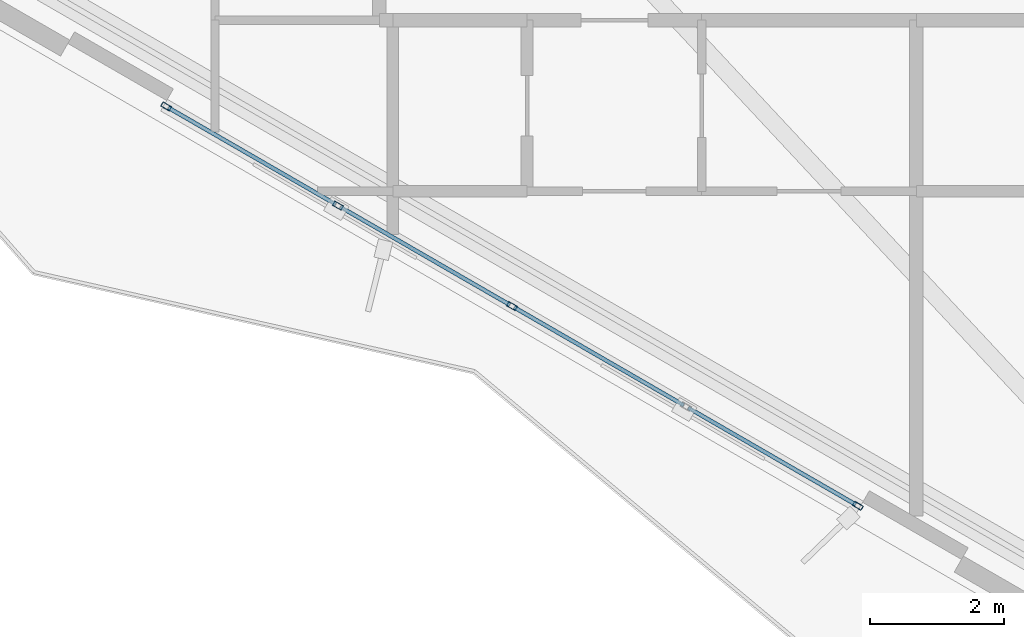
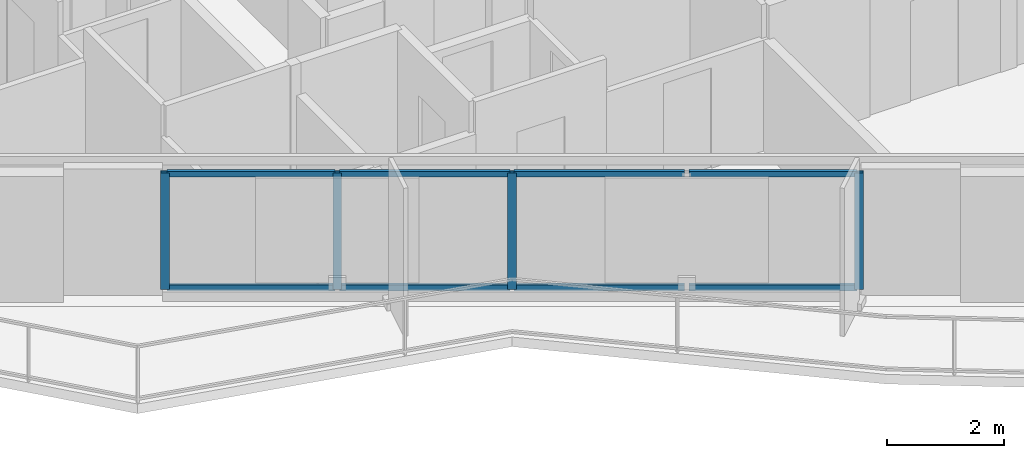
# One storey, part 2 of 18: 12 members, 1 element without a shape of its own.
"""IFC4 building model written with IfcOpenShell, lengths in metres."""

from ifc_helpers import new_model, si_unit, direction, frame, origin, origin_2d, place, context, subcontext, project, spatial, hollow_rectangle, extrude, material, layer, layer_set, material_profile, profile_set, type_object, element, aggregate, save


model = new_model("IFC4")

# Units and contexts
model_context = context("Model", 3, precision=1e-05, world=origin(), true_north=direction((0.0, 1.0)))
body_context = subcontext(model_context, "Body", "Model", "MODEL_VIEW")
ifc_project = project(units=[si_unit("LENGTHUNIT", "METRE"), si_unit("AREAUNIT", "SQUARE_METRE"), si_unit("VOLUMEUNIT", "CUBIC_METRE"), si_unit("PLANEANGLEUNIT", "RADIAN"), si_unit("MASSUNIT", "GRAM", prefix="KILO")], contexts=[model_context])

# Site, building, storey
site_placement = place(None, origin())
site = spatial("IfcSite", under=ifc_project, at=site_placement, CompositionType="ELEMENT")
building_placement = place(site_placement, origin())
building = spatial("IfcBuilding", under=site, at=building_placement, Name="Mersakhor Tower and Convention Hall", CompositionType="ELEMENT")
storey_placement = place(building_placement, frame((0.0, 0.0, 58.800048828125)))
storey = spatial("IfcBuildingStorey", under=building, at=storey_placement, Name="L16", CompositionType="ELEMENT", Elevation=58.800048828125)

# Curtain wall, members
ifc_material_1 = material(Name="Dark solar low-E aluminium curtain wall", Category="aluminium")
ifc_layer = layer(ifc_material_1, 0.159912109375)
ifc_layer_set = layer_set([ifc_layer], Name="Dark solar low-E aluminium curtain wall")
curtain_wall_type = type_object("IfcCurtainWallType", Name="CW-SYS-01", PredefinedType="USERDEFINED", material=ifc_layer_set)
curtain_wall_placement = place(storey_placement, origin())
curtain_wall = element("IfcCurtainWall", 1, at=curtain_wall_placement, inside=storey, type_object=curtain_wall_type, Name="L16 Dark-Glass Curtain Wall F3-B2", ObjectType="CURTAIN WALL", PredefinedType="USERDEFINED")
ifc_material_2 = material(Name="Anodised aluminium EN AW-6063 T6", Category="aluminium")
ifc_material_profile_1 = material_profile(ifc_material_2, hollow_rectangle(XDim=0.074951171875, YDim=0.14990234375, WallThickness=0.00634765625, at=origin_2d()), Name="RHS 150x75x6.3")
ifc_profile_set_1 = profile_set([ifc_material_profile_1], Name="Anodised aluminium EN AW-6063 T6")
member_type_1 = type_object("IfcMemberType", Name="CWM-150x75", PredefinedType="MULLION", material=ifc_profile_set_1)
member_1_placement = place(storey_placement, frame((26.72705078125, 10.9150390625, 0.199951171875), z_axis=(0.0, 0.0, 1.0), x_axis=(-0.50000344889, -0.866023412558, 0.0)))
member_1 = element("IfcMember", 2, at=member_1_placement, type_object=member_type_1, Name="CW-01 mullion 1", PredefinedType="MULLION", context=body_context, shape_type="SweptSolid", body=[
    extrude(hollow_rectangle(XDim=0.074951171875, YDim=0.14990234375, WallThickness=0.00634765625, at=origin_2d()), origin(), (0.0, 0.0, 1.0), 2.43994140625),
])
member_2_placement = place(storey_placement, frame((21.574951171875, 13.889404296875, 0.199951171875), z_axis=(0.0, 0.0, 1.0), x_axis=(-0.50000344889, -0.866023412558, 0.0)))
member_2 = element("IfcMember", 3, at=member_2_placement, type_object=member_type_1, Name="CW-01 mullion 3", PredefinedType="MULLION", context=body_context, shape_type="SweptSolid", body=[
    extrude(hollow_rectangle(XDim=0.074951171875, YDim=0.14990234375, WallThickness=0.00634765625, at=origin_2d()), origin(), (0.0, 0.0, 1.0), 2.43994140625),
])
member_3_placement = place(storey_placement, frame((18.982666015625, 15.38623046875, 0.199951171875), z_axis=(0.0, 0.0, 1.0), x_axis=(-0.50000344889, -0.866023412558, 0.0)))
member_3 = element("IfcMember", 4, at=member_3_placement, type_object=member_type_1, Name="CW-01 mullion 4", PredefinedType="MULLION", context=body_context, shape_type="SweptSolid", body=[
    extrude(hollow_rectangle(XDim=0.074951171875, YDim=0.14990234375, WallThickness=0.00634765625, at=origin_2d()), origin(), (0.0, 0.0, 1.0), 2.43994140625),
])
member_4_placement = place(storey_placement, frame((16.423095703125, 16.864013671875, 0.199951171875), z_axis=(0.0, 0.0, 1.0), x_axis=(-0.50000344889, -0.866023412558, 0.0)))
member_4 = element("IfcMember", 5, at=member_4_placement, type_object=member_type_1, Name="CW-01 mullion 5", PredefinedType="MULLION", context=body_context, shape_type="SweptSolid", body=[
    extrude(hollow_rectangle(XDim=0.074951171875, YDim=0.14990234375, WallThickness=0.00634765625, at=origin_2d()), origin(), (0.0, 0.0, 1.0), 2.43994140625),
])
ifc_material_3 = material(Name="Anodised aluminium EN AW-6063 T6", Category="aluminium")
ifc_material_profile_2 = material_profile(ifc_material_3, hollow_rectangle(XDim=0.06005859375, YDim=0.1201171875, WallThickness=0.0048828125, at=origin_2d()), Name="RHS 120x60x5")
ifc_profile_set_2 = profile_set([ifc_material_profile_2], Name="Anodised aluminium EN AW-6063 T6")
member_type_2 = type_object("IfcMemberType", Name="CWT-120x60", PredefinedType="USERDEFINED", material=ifc_profile_set_2)
member_5_placement = place(storey_placement, frame((26.694580078125, 10.93359375, 0.22998046875), z_axis=(-0.866023290103, 0.500003660985, 0.0), x_axis=(-0.500003660985, -0.866023290103, 0.0)))
member_5 = element("IfcMember", 6, at=member_5_placement, type_object=member_type_2, Name="CW-01 transom 1.1", ObjectType="TRANSOM", PredefinedType="USERDEFINED", context=body_context, shape_type="SweptSolid", body=[
    extrude(hollow_rectangle(XDim=0.06005859375, YDim=0.1201171875, WallThickness=0.0048828125, at=origin_2d()), origin(), (0.0, 0.0, 1.0), 2.880859375),
])
member_6_placement = place(storey_placement, frame((26.694580078125, 10.93359375, 2.60986328125), z_axis=(-0.866023290103, 0.500003660985, 0.0), x_axis=(-0.500003660985, -0.866023290103, 0.0)))
member_6 = element("IfcMember", 7, at=member_6_placement, type_object=member_type_2, Name="CW-01 transom 1.2", ObjectType="TRANSOM", PredefinedType="USERDEFINED", context=body_context, shape_type="SweptSolid", body=[
    extrude(hollow_rectangle(XDim=0.06005859375, YDim=0.1201171875, WallThickness=0.0048828125, at=origin_2d()), origin(), (0.0, 0.0, 1.0), 2.880859375),
])
member_7_placement = place(storey_placement, frame((24.134765625, 12.41162109375, 0.22998046875), z_axis=(-0.866015622527, 0.500016941252, 0.0), x_axis=(-0.500016941252, -0.866015622527, 0.0)))
member_7 = element("IfcMember", 8, at=member_7_placement, type_object=member_type_2, Name="CW-01 transom 2.1", ObjectType="TRANSOM", PredefinedType="USERDEFINED", context=body_context, shape_type="SweptSolid", body=[
    extrude(hollow_rectangle(XDim=0.06005859375, YDim=0.1201171875, WallThickness=0.0048828125, at=origin_2d()), origin(), (0.0, 0.0, 1.0), 2.91845703125),
])
member_8_placement = place(storey_placement, frame((24.134765625, 12.41162109375, 2.60986328125), z_axis=(-0.866015622527, 0.500016941252, 0.0), x_axis=(-0.500016941252, -0.866015622527, 0.0)))
member_8 = element("IfcMember", 9, at=member_8_placement, type_object=member_type_2, Name="CW-01 transom 2.2", ObjectType="TRANSOM", PredefinedType="USERDEFINED", context=body_context, shape_type="SweptSolid", body=[
    extrude(hollow_rectangle(XDim=0.06005859375, YDim=0.1201171875, WallThickness=0.0048828125, at=origin_2d()), origin(), (0.0, 0.0, 1.0), 2.91845703125),
])
member_9_placement = place(storey_placement, frame((21.54248046875, 13.908203125, 0.22998046875), z_axis=(-0.866015622527, 0.500016941252, 0.0), x_axis=(-0.500016941252, -0.866015622527, 0.0)))
member_9 = element("IfcMember", 10, at=member_9_placement, type_object=member_type_2, Name="CW-01 transom 3.1", ObjectType="TRANSOM", PredefinedType="USERDEFINED", context=body_context, shape_type="SweptSolid", body=[
    extrude(hollow_rectangle(XDim=0.06005859375, YDim=0.1201171875, WallThickness=0.0048828125, at=origin_2d()), origin(), (0.0, 0.0, 1.0), 2.91845703125),
])
member_10_placement = place(storey_placement, frame((21.54248046875, 13.908203125, 2.60986328125), z_axis=(-0.866015622527, 0.500016941252, 0.0), x_axis=(-0.500016941252, -0.866015622527, 0.0)))
member_10 = element("IfcMember", 11, at=member_10_placement, type_object=member_type_2, Name="CW-01 transom 3.2", ObjectType="TRANSOM", PredefinedType="USERDEFINED", context=body_context, shape_type="SweptSolid", body=[
    extrude(hollow_rectangle(XDim=0.06005859375, YDim=0.1201171875, WallThickness=0.0048828125, at=origin_2d()), origin(), (0.0, 0.0, 1.0), 2.91845703125),
])
member_11_placement = place(storey_placement, frame((18.9501953125, 15.40478515625, 0.22998046875), z_axis=(-0.866002100865, 0.500040359669, 0.0), x_axis=(-0.500040359669, -0.866002100865, 0.0)))
member_11 = element("IfcMember", 12, at=member_11_placement, type_object=member_type_2, Name="CW-01 transom 4.1", ObjectType="TRANSOM", PredefinedType="USERDEFINED", context=body_context, shape_type="SweptSolid", body=[
    extrude(hollow_rectangle(XDim=0.06005859375, YDim=0.1201171875, WallThickness=0.0048828125, at=origin_2d()), origin(), (0.0, 0.0, 1.0), 2.880615234375),
])
member_12_placement = place(storey_placement, frame((18.9501953125, 15.40478515625, 2.60986328125), z_axis=(-0.866002100865, 0.500040359669, 0.0), x_axis=(-0.500040359669, -0.866002100865, 0.0)))
member_12 = element("IfcMember", 13, at=member_12_placement, type_object=member_type_2, Name="CW-01 transom 4.2", ObjectType="TRANSOM", PredefinedType="USERDEFINED", context=body_context, shape_type="SweptSolid", body=[
    extrude(hollow_rectangle(XDim=0.06005859375, YDim=0.1201171875, WallThickness=0.0048828125, at=origin_2d()), origin(), (0.0, 0.0, 1.0), 2.880615234375),
])
aggregate(curtain_wall, [member_1, member_2, member_3, member_4, member_5, member_6, member_7, member_8, member_9, member_10, member_11, member_12])

save(model, "model.ifc")
